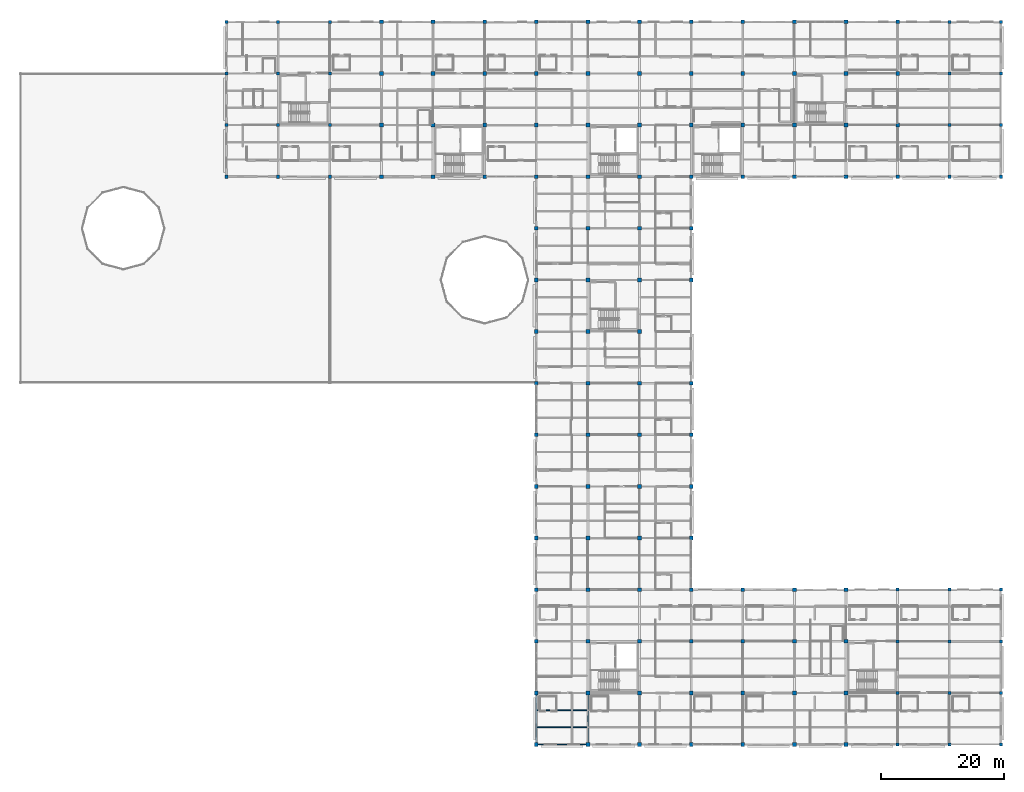
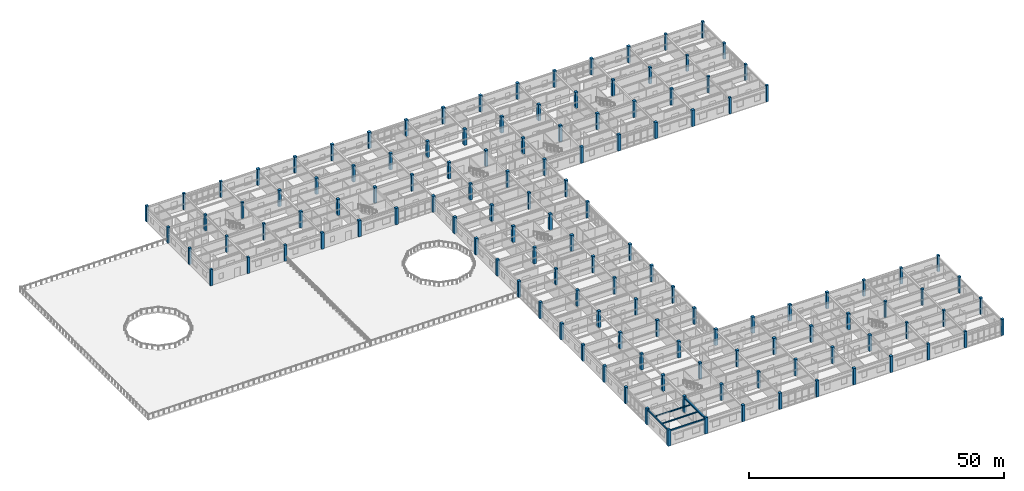
# One storey, part 1 of 86: 131 columns, 5 beams.
"""IFC4 building model written with IfcOpenShell, lengths in metres."""

from ifc_helpers import new_model, si_unit, direction, frame, origin, origin_2d, place, context, subcontext, project, spatial, rectangle, hollow_rectangle, i_section, extrude, material, material_profile, profile_set, type_object, element, save


model = new_model("IFC4")

# Units and contexts
model_context = context("Model", 3, precision=1e-05, world=origin(), true_north=direction((0.0, 1.0)))
body_context = subcontext(model_context, "Body", "Model", "MODEL_VIEW")
ifc_project = project(units=[si_unit("LENGTHUNIT", "METRE"), si_unit("AREAUNIT", "SQUARE_METRE"), si_unit("VOLUMEUNIT", "CUBIC_METRE"), si_unit("PLANEANGLEUNIT", "RADIAN"), si_unit("MASSUNIT", "GRAM", prefix="KILO")], contexts=[model_context])

# Site, building, storey
site_placement = place(None, origin())
site = spatial("IfcSite", under=ifc_project, at=site_placement, CompositionType="ELEMENT")
building_placement = place(site_placement, origin())
building = spatial("IfcBuilding", under=site, at=building_placement, Name="Bramfleet General Hospital", CompositionType="ELEMENT")
storey_placement = place(building_placement, frame((0.0, 0.0, 18.60009765625)))
storey = spatial("IfcBuildingStorey", under=building, at=storey_placement, Name="L04", CompositionType="ELEMENT", Elevation=18.60009765625)

# Columns
ifc_material_1 = material(Name="Concrete C40/50", Category="concrete")
ifc_material_profile_1 = material_profile(ifc_material_1, rectangle(XDim=0.5, YDim=0.5, at=origin_2d()), Name="RC COL 500x500")
ifc_profile_set_1 = profile_set([ifc_material_profile_1], Name="Concrete C40/50")
column_type_1 = type_object("IfcColumnType", Name="COL-RC500", PredefinedType="COLUMN", material=ifc_profile_set_1)
for number, where, z_axis, x_axis, name in (
    (1, (42.0, 92.39990234375, 0.0), (0.0, 0.0, 1.0), (1.0, 0.0, 0.0), "Column COL-L04-05-11"),
    (2, (42.0, 100.800048828125, 0.0), (0.0, 0.0, 1.0), (1.0, 0.0, 0.0), "Column COL-L04-05-12"),
    (3, (42.0, 109.199951171875, 0.0), (0.0, 0.0, 1.0), (1.0, 0.0, 0.0), "Column COL-L04-05-13"),
    (4, (42.0, 117.60009765625, 0.0), (0.0, 0.0, 1.0), (1.0, 0.0, 0.0), "Column COL-L04-05-14"),
    (5, (50.39990234375, 92.39990234375, 0.0), (0.0, 0.0, 1.0), (1.0, 0.0, 0.0), "Column COL-L04-06-11"),
    (6, (50.39990234375, 100.800048828125, 0.0), (0.0, 0.0, 1.0), (1.0, 0.0, 0.0), "Column COL-L04-06-12"),
    (7, (50.39990234375, 109.199951171875, 0.0), (0.0, 0.0, 1.0), (1.0, 0.0, 0.0), "Column COL-L04-06-13"),
    (8, (50.39990234375, 117.60009765625, 0.0), (0.0, 0.0, 1.0), (1.0, 0.0, 0.0), "Column COL-L04-06-14"),
    (9, (58.800048828125, 92.39990234375, 0.0), (0.0, 0.0, 1.0), (1.0, 0.0, 0.0), "Column COL-L04-07-11"),
    (10, (58.800048828125, 100.800048828125, 0.0), (0.0, 0.0, 1.0), (1.0, 0.0, 0.0), "Column COL-L04-07-12"),
    (11, (58.800048828125, 109.199951171875, 0.0), (0.0, 0.0, 1.0), (1.0, 0.0, 0.0), "Column COL-L04-07-13"),
    (12, (58.800048828125, 117.60009765625, 0.0), (0.0, 0.0, 1.0), (1.0, 0.0, 0.0), "Column COL-L04-07-14"),
    (13, (151.199951171875, 0.0, 0.0), (0.0, 0.0, 1.0), (1.0, 0.0, 0.0), "Column COL-L04-18-00"),
    (14, (151.199951171875, 8.39990234375, 0.0), (0.0, 0.0, 1.0), (1.0, 0.0, 0.0), "Column COL-L04-18-01"),
    (15, (151.199951171875, 16.800048828125, 0.0), (0.0, 0.0, 1.0), (1.0, 0.0, 0.0), "Column COL-L04-18-02"),
    (16, (151.199951171875, 25.199951171875, 0.0), (0.0, 0.0, 1.0), (1.0, 0.0, 0.0), "Column COL-L04-18-03"),
    (17, (159.60009765625, 0.0, 0.0), (0.0, 0.0, 1.0), (1.0, 0.0, 0.0), "Column COL-L04-19-00"),
    (18, (159.60009765625, 8.39990234375, 0.0), (0.0, 0.0, 1.0), (1.0, 0.0, 0.0), "Column COL-L04-19-01"),
    (19, (159.60009765625, 16.800048828125, 0.0), (0.0, 0.0, 1.0), (1.0, 0.0, 0.0), "Column COL-L04-19-02"),
    (20, (159.60009765625, 25.199951171875, 0.0), (0.0, 0.0, 1.0), (1.0, 0.0, 0.0), "Column COL-L04-19-03"),
    (21, (159.60009765625, 92.39990234375, 0.0), (0.0, 0.0, 1.0), (1.0, 0.0, 0.0), "Column COL-L04-19-11"),
    (22, (159.60009765625, 100.800048828125, 0.0), (0.0, 0.0, 1.0), (1.0, 0.0, 0.0), "Column COL-L04-19-12"),
    (23, (159.60009765625, 109.199951171875, 0.0), (0.0, 0.0, 1.0), (1.0, 0.0, 0.0), "Column COL-L04-19-13"),
    (24, (159.60009765625, 117.60009765625, 0.0), (0.0, 0.0, 1.0), (1.0, 0.0, 0.0), "Column COL-L04-19-14"),
    (25, (168.0, 0.0, 0.0), (0.0, 0.0, 1.0), (1.0, 0.0, 0.0), "Column COL-L04-20-00"),
    (26, (168.0, 8.39990234375, 0.0), (0.0, 0.0, 1.0), (1.0, 0.0, 0.0), "Column COL-L04-20-01"),
    (27, (168.0, 16.800048828125, 0.0), (0.0, 0.0, 1.0), (1.0, 0.0, 0.0), "Column COL-L04-20-02"),
    (28, (168.0, 25.199951171875, 0.0), (0.0, 0.0, 1.0), (1.0, 0.0, 0.0), "Column COL-L04-20-03"),
    (29, (168.0, 92.39990234375, 0.0), (0.0, 0.0, 1.0), (1.0, 0.0, 0.0), "Column COL-L04-20-11"),
    (30, (168.0, 100.800048828125, 0.0), (0.0, 0.0, 1.0), (1.0, 0.0, 0.0), "Column COL-L04-20-12"),
    (31, (168.0, 109.199951171875, 0.0), (0.0, 0.0, 1.0), (1.0, 0.0, 0.0), "Column COL-L04-20-13"),
    (32, (168.0, 117.60009765625, 0.0), (0.0, 0.0, 1.0), (1.0, 0.0, 0.0), "Column COL-L04-20-14"),
):
    element("IfcColumn", number, at=place(storey_placement, frame(where, z_axis=z_axis, x_axis=x_axis)), inside=storey, type_object=column_type_1, Name=name, PredefinedType="COLUMN", context=body_context, shape_type="SweptSolid", body=[
        extrude(rectangle(XDim=0.5, YDim=0.5, at=origin_2d()), origin(), (0.0, 0.0, 1.0), 3.89990234375),
    ])
ifc_material_profile_2 = material_profile(ifc_material_1, rectangle(XDim=0.60009765625, YDim=0.60009765625, at=origin_2d()), Name="RC COL 600x600")
ifc_profile_set_2 = profile_set([ifc_material_profile_2], Name="Concrete C40/50")
column_type_2 = type_object("IfcColumnType", Name="COL-RC600", PredefinedType="COLUMN", material=ifc_profile_set_2)
for number, where, z_axis, x_axis, name in (
    (33, (67.199951171875, 92.39990234375, 0.0), (0.0, 0.0, 1.0), (1.0, 0.0, 0.0), "Column COL-L04-08-11"),
    (34, (67.199951171875, 100.800048828125, 0.0), (0.0, 0.0, 1.0), (1.0, 0.0, 0.0), "Column COL-L04-08-12"),
    (35, (67.199951171875, 109.199951171875, 0.0), (0.0, 0.0, 1.0), (1.0, 0.0, 0.0), "Column COL-L04-08-13"),
    (36, (67.199951171875, 117.60009765625, 0.0), (0.0, 0.0, 1.0), (1.0, 0.0, 0.0), "Column COL-L04-08-14"),
    (37, (75.60009765625, 92.39990234375, 0.0), (0.0, 0.0, 1.0), (1.0, 0.0, 0.0), "Column COL-L04-09-11"),
    (38, (75.60009765625, 100.800048828125, 0.0), (0.0, 0.0, 1.0), (1.0, 0.0, 0.0), "Column COL-L04-09-12"),
    (39, (75.60009765625, 109.199951171875, 0.0), (0.0, 0.0, 1.0), (1.0, 0.0, 0.0), "Column COL-L04-09-13"),
    (40, (75.60009765625, 117.60009765625, 0.0), (0.0, 0.0, 1.0), (1.0, 0.0, 0.0), "Column COL-L04-09-14"),
    (41, (84.0, 92.39990234375, 0.0), (0.0, 0.0, 1.0), (1.0, 0.0, 0.0), "Column COL-L04-10-11"),
    (42, (84.0, 100.800048828125, 0.0), (0.0, 0.0, 1.0), (1.0, 0.0, 0.0), "Column COL-L04-10-12"),
    (43, (84.0, 109.199951171875, 0.0), (0.0, 0.0, 1.0), (1.0, 0.0, 0.0), "Column COL-L04-10-13"),
    (44, (84.0, 117.60009765625, 0.0), (0.0, 0.0, 1.0), (1.0, 0.0, 0.0), "Column COL-L04-10-14"),
    (45, (92.39990234375, 0.0, 0.0), (0.0, 0.0, 1.0), (1.0, 0.0, 0.0), "Column COL-L04-11-00"),
    (46, (92.39990234375, 8.39990234375, 0.0), (0.0, 0.0, 1.0), (1.0, 0.0, 0.0), "Column COL-L04-11-01"),
    (47, (92.39990234375, 16.800048828125, 0.0), (0.0, 0.0, 1.0), (1.0, 0.0, 0.0), "Column COL-L04-11-02"),
    (48, (92.39990234375, 25.199951171875, 0.0), (0.0, 0.0, 1.0), (1.0, 0.0, 0.0), "Column COL-L04-11-03"),
    (49, (92.39990234375, 33.60009765625, 0.0), (0.0, 0.0, 1.0), (1.0, 0.0, 0.0), "Column COL-L04-11-04"),
    (50, (92.39990234375, 42.0, 0.0), (0.0, 0.0, 1.0), (1.0, 0.0, 0.0), "Column COL-L04-11-05"),
    (51, (92.39990234375, 50.39990234375, 0.0), (0.0, 0.0, 1.0), (1.0, 0.0, 0.0), "Column COL-L04-11-06"),
    (52, (92.39990234375, 58.800048828125, 0.0), (0.0, 0.0, 1.0), (1.0, 0.0, 0.0), "Column COL-L04-11-07"),
    (53, (92.39990234375, 67.199951171875, 0.0), (0.0, 0.0, 1.0), (1.0, 0.0, 0.0), "Column COL-L04-11-08"),
    (54, (92.39990234375, 75.60009765625, 0.0), (0.0, 0.0, 1.0), (1.0, 0.0, 0.0), "Column COL-L04-11-09"),
    (55, (92.39990234375, 84.0, 0.0), (0.0, 0.0, 1.0), (1.0, 0.0, 0.0), "Column COL-L04-11-10"),
    (56, (92.39990234375, 92.39990234375, 0.0), (0.0, 0.0, 1.0), (1.0, 0.0, 0.0), "Column COL-L04-11-11"),
    (57, (92.39990234375, 100.800048828125, 0.0), (0.0, 0.0, 1.0), (1.0, 0.0, 0.0), "Column COL-L04-11-12"),
    (58, (92.39990234375, 109.199951171875, 0.0), (0.0, 0.0, 1.0), (1.0, 0.0, 0.0), "Column COL-L04-11-13"),
    (59, (92.39990234375, 117.60009765625, 0.0), (0.0, 0.0, 1.0), (1.0, 0.0, 0.0), "Column COL-L04-11-14"),
    (60, (100.800048828125, 0.0, 0.0), (0.0, 0.0, 1.0), (1.0, 0.0, 0.0), "Column COL-L04-12-00"),
    (61, (100.800048828125, 8.39990234375, 0.0), (0.0, 0.0, 1.0), (1.0, 0.0, 0.0), "Column COL-L04-12-01"),
    (62, (100.800048828125, 16.800048828125, 0.0), (0.0, 0.0, 1.0), (1.0, 0.0, 0.0), "Column COL-L04-12-02"),
    (63, (100.800048828125, 25.199951171875, 0.0), (0.0, 0.0, 1.0), (1.0, 0.0, 0.0), "Column COL-L04-12-03"),
    (64, (100.800048828125, 33.60009765625, 0.0), (0.0, 0.0, 1.0), (1.0, 0.0, 0.0), "Column COL-L04-12-04"),
    (65, (100.800048828125, 42.0, 0.0), (0.0, 0.0, 1.0), (1.0, 0.0, 0.0), "Column COL-L04-12-05"),
    (66, (100.800048828125, 50.39990234375, 0.0), (0.0, 0.0, 1.0), (1.0, 0.0, 0.0), "Column COL-L04-12-06"),
    (67, (100.800048828125, 58.800048828125, 0.0), (0.0, 0.0, 1.0), (1.0, 0.0, 0.0), "Column COL-L04-12-07"),
    (68, (100.800048828125, 67.199951171875, 0.0), (0.0, 0.0, 1.0), (1.0, 0.0, 0.0), "Column COL-L04-12-08"),
    (69, (100.800048828125, 75.60009765625, 0.0), (0.0, 0.0, 1.0), (1.0, 0.0, 0.0), "Column COL-L04-12-09"),
    (70, (100.800048828125, 84.0, 0.0), (0.0, 0.0, 1.0), (1.0, 0.0, 0.0), "Column COL-L04-12-10"),
    (71, (100.800048828125, 92.39990234375, 0.0), (0.0, 0.0, 1.0), (1.0, 0.0, 0.0), "Column COL-L04-12-11"),
    (72, (100.800048828125, 100.800048828125, 0.0), (0.0, 0.0, 1.0), (1.0, 0.0, 0.0), "Column COL-L04-12-12"),
    (73, (100.800048828125, 109.199951171875, 0.0), (0.0, 0.0, 1.0), (1.0, 0.0, 0.0), "Column COL-L04-12-13"),
    (74, (100.800048828125, 117.60009765625, 0.0), (0.0, 0.0, 1.0), (1.0, 0.0, 0.0), "Column COL-L04-12-14"),
    (75, (109.199951171875, 0.0, 0.0), (0.0, 0.0, 1.0), (1.0, 0.0, 0.0), "Column COL-L04-13-00"),
    (76, (109.199951171875, 8.39990234375, 0.0), (0.0, 0.0, 1.0), (1.0, 0.0, 0.0), "Column COL-L04-13-01"),
    (77, (109.199951171875, 16.800048828125, 0.0), (0.0, 0.0, 1.0), (1.0, 0.0, 0.0), "Column COL-L04-13-02"),
    (78, (109.199951171875, 25.199951171875, 0.0), (0.0, 0.0, 1.0), (1.0, 0.0, 0.0), "Column COL-L04-13-03"),
    (79, (109.199951171875, 33.60009765625, 0.0), (0.0, 0.0, 1.0), (1.0, 0.0, 0.0), "Column COL-L04-13-04"),
    (80, (109.199951171875, 42.0, 0.0), (0.0, 0.0, 1.0), (1.0, 0.0, 0.0), "Column COL-L04-13-05"),
    (81, (109.199951171875, 50.39990234375, 0.0), (0.0, 0.0, 1.0), (1.0, 0.0, 0.0), "Column COL-L04-13-06"),
    (82, (109.199951171875, 58.800048828125, 0.0), (0.0, 0.0, 1.0), (1.0, 0.0, 0.0), "Column COL-L04-13-07"),
    (83, (109.199951171875, 67.199951171875, 0.0), (0.0, 0.0, 1.0), (1.0, 0.0, 0.0), "Column COL-L04-13-08"),
    (84, (109.199951171875, 75.60009765625, 0.0), (0.0, 0.0, 1.0), (1.0, 0.0, 0.0), "Column COL-L04-13-09"),
    (85, (109.199951171875, 84.0, 0.0), (0.0, 0.0, 1.0), (1.0, 0.0, 0.0), "Column COL-L04-13-10"),
    (86, (109.199951171875, 92.39990234375, 0.0), (0.0, 0.0, 1.0), (1.0, 0.0, 0.0), "Column COL-L04-13-11"),
    (87, (109.199951171875, 100.800048828125, 0.0), (0.0, 0.0, 1.0), (1.0, 0.0, 0.0), "Column COL-L04-13-12"),
    (88, (109.199951171875, 109.199951171875, 0.0), (0.0, 0.0, 1.0), (1.0, 0.0, 0.0), "Column COL-L04-13-13"),
    (89, (109.199951171875, 117.60009765625, 0.0), (0.0, 0.0, 1.0), (1.0, 0.0, 0.0), "Column COL-L04-13-14"),
    (90, (117.60009765625, 0.0, 0.0), (0.0, 0.0, 1.0), (1.0, 0.0, 0.0), "Column COL-L04-14-00"),
    (91, (117.60009765625, 8.39990234375, 0.0), (0.0, 0.0, 1.0), (1.0, 0.0, 0.0), "Column COL-L04-14-01"),
    (92, (117.60009765625, 16.800048828125, 0.0), (0.0, 0.0, 1.0), (1.0, 0.0, 0.0), "Column COL-L04-14-02"),
    (93, (117.60009765625, 25.199951171875, 0.0), (0.0, 0.0, 1.0), (1.0, 0.0, 0.0), "Column COL-L04-14-03"),
    (94, (117.60009765625, 33.60009765625, 0.0), (0.0, 0.0, 1.0), (1.0, 0.0, 0.0), "Column COL-L04-14-04"),
    (95, (117.60009765625, 42.0, 0.0), (0.0, 0.0, 1.0), (1.0, 0.0, 0.0), "Column COL-L04-14-05"),
    (96, (117.60009765625, 50.39990234375, 0.0), (0.0, 0.0, 1.0), (1.0, 0.0, 0.0), "Column COL-L04-14-06"),
    (97, (117.60009765625, 58.800048828125, 0.0), (0.0, 0.0, 1.0), (1.0, 0.0, 0.0), "Column COL-L04-14-07"),
    (98, (117.60009765625, 75.60009765625, 0.0), (0.0, 0.0, 1.0), (1.0, 0.0, 0.0), "Column COL-L04-14-09"),
    (99, (117.60009765625, 84.0, 0.0), (0.0, 0.0, 1.0), (1.0, 0.0, 0.0), "Column COL-L04-14-10"),
    (100, (117.60009765625, 92.39990234375, 0.0), (0.0, 0.0, 1.0), (1.0, 0.0, 0.0), "Column COL-L04-14-11"),
    (101, (117.60009765625, 100.800048828125, 0.0), (0.0, 0.0, 1.0), (1.0, 0.0, 0.0), "Column COL-L04-14-12"),
    (102, (117.60009765625, 109.199951171875, 0.0), (0.0, 0.0, 1.0), (1.0, 0.0, 0.0), "Column COL-L04-14-13"),
    (103, (117.60009765625, 117.60009765625, 0.0), (0.0, 0.0, 1.0), (1.0, 0.0, 0.0), "Column COL-L04-14-14"),
    (104, (126.0, 0.0, 0.0), (0.0, 0.0, 1.0), (1.0, 0.0, 0.0), "Column COL-L04-15-00"),
    (105, (126.0, 8.39990234375, 0.0), (0.0, 0.0, 1.0), (1.0, 0.0, 0.0), "Column COL-L04-15-01"),
    (106, (126.0, 16.800048828125, 0.0), (0.0, 0.0, 1.0), (1.0, 0.0, 0.0), "Column COL-L04-15-02"),
    (107, (126.0, 25.199951171875, 0.0), (0.0, 0.0, 1.0), (1.0, 0.0, 0.0), "Column COL-L04-15-03"),
    (108, (126.0, 92.39990234375, 0.0), (0.0, 0.0, 1.0), (1.0, 0.0, 0.0), "Column COL-L04-15-11"),
    (109, (126.0, 100.800048828125, 0.0), (0.0, 0.0, 1.0), (1.0, 0.0, 0.0), "Column COL-L04-15-12"),
    (110, (126.0, 109.199951171875, 0.0), (0.0, 0.0, 1.0), (1.0, 0.0, 0.0), "Column COL-L04-15-13"),
    (111, (126.0, 117.60009765625, 0.0), (0.0, 0.0, 1.0), (1.0, 0.0, 0.0), "Column COL-L04-15-14"),
    (112, (134.39990234375, 0.0, 0.0), (0.0, 0.0, 1.0), (1.0, 0.0, 0.0), "Column COL-L04-16-00"),
    (113, (134.39990234375, 8.39990234375, 0.0), (0.0, 0.0, 1.0), (1.0, 0.0, 0.0), "Column COL-L04-16-01"),
    (114, (134.39990234375, 16.800048828125, 0.0), (0.0, 0.0, 1.0), (1.0, 0.0, 0.0), "Column COL-L04-16-02"),
    (115, (134.39990234375, 25.199951171875, 0.0), (0.0, 0.0, 1.0), (1.0, 0.0, 0.0), "Column COL-L04-16-03"),
    (116, (134.39990234375, 92.39990234375, 0.0), (0.0, 0.0, 1.0), (1.0, 0.0, 0.0), "Column COL-L04-16-11"),
    (117, (134.39990234375, 100.800048828125, 0.0), (0.0, 0.0, 1.0), (1.0, 0.0, 0.0), "Column COL-L04-16-12"),
    (118, (134.39990234375, 109.199951171875, 0.0), (0.0, 0.0, 1.0), (1.0, 0.0, 0.0), "Column COL-L04-16-13"),
    (119, (134.39990234375, 117.60009765625, 0.0), (0.0, 0.0, 1.0), (1.0, 0.0, 0.0), "Column COL-L04-16-14"),
    (120, (142.800048828125, 0.0, 0.0), (0.0, 0.0, 1.0), (1.0, 0.0, 0.0), "Column COL-L04-17-00"),
    (121, (142.800048828125, 8.39990234375, 0.0), (0.0, 0.0, 1.0), (1.0, 0.0, 0.0), "Column COL-L04-17-01"),
    (122, (142.800048828125, 16.800048828125, 0.0), (0.0, 0.0, 1.0), (1.0, 0.0, 0.0), "Column COL-L04-17-02"),
    (123, (142.800048828125, 25.199951171875, 0.0), (0.0, 0.0, 1.0), (1.0, 0.0, 0.0), "Column COL-L04-17-03"),
    (124, (142.800048828125, 92.39990234375, 0.0), (0.0, 0.0, 1.0), (1.0, 0.0, 0.0), "Column COL-L04-17-11"),
    (125, (142.800048828125, 100.800048828125, 0.0), (0.0, 0.0, 1.0), (1.0, 0.0, 0.0), "Column COL-L04-17-12"),
    (126, (142.800048828125, 109.199951171875, 0.0), (0.0, 0.0, 1.0), (1.0, 0.0, 0.0), "Column COL-L04-17-13"),
    (127, (142.800048828125, 117.60009765625, 0.0), (0.0, 0.0, 1.0), (1.0, 0.0, 0.0), "Column COL-L04-17-14"),
    (128, (151.199951171875, 92.39990234375, 0.0), (0.0, 0.0, 1.0), (1.0, 0.0, 0.0), "Column COL-L04-18-11"),
    (129, (151.199951171875, 100.800048828125, 0.0), (0.0, 0.0, 1.0), (1.0, 0.0, 0.0), "Column COL-L04-18-12"),
    (130, (151.199951171875, 109.199951171875, 0.0), (0.0, 0.0, 1.0), (1.0, 0.0, 0.0), "Column COL-L04-18-13"),
    (131, (151.199951171875, 117.60009765625, 0.0), (0.0, 0.0, 1.0), (1.0, 0.0, 0.0), "Column COL-L04-18-14"),
):
    element("IfcColumn", number, at=place(storey_placement, frame(where, z_axis=z_axis, x_axis=x_axis)), inside=storey, type_object=column_type_2, Name=name, PredefinedType="COLUMN", context=body_context, shape_type="SweptSolid", body=[
        extrude(rectangle(XDim=0.60009765625, YDim=0.60009765625, at=origin_2d()), origin(), (0.0, 0.0, 1.0), 3.89990234375),
    ])

# Beams
ifc_material_2 = material(Name="Steel S355", Category="steel")
ifc_material_profile_3 = material_profile(ifc_material_2, i_section(OverallWidth=0.239990234375, OverallDepth=0.22998046875, WebThickness=0.007568359375, FlangeThickness=0.011962890625, FilletRadius=0.02099609375, at=origin_2d()), Name="HEA 240")
ifc_profile_set_3 = profile_set([ifc_material_profile_3], Name="Steel S355")
beam_type_1 = type_object("IfcBeamType", Name="BM-HEA240", PredefinedType="SPANDREL", material=ifc_profile_set_3)
beam_1_placement = place(storey_placement, frame((92.39990234375, 0.300048828125, 3.5048828125), z_axis=(0.0, 1.0, 0.0), x_axis=(-1.0, 0.0, 0.0)))
element("IfcBeam", 132, at=beam_1_placement, inside=storey, type_object=beam_type_1, Name="L04 Grid Beam Y 11-00", PredefinedType="SPANDREL", context=body_context, shape_type="SweptSolid", body=[
    extrude(i_section(OverallWidth=0.239990234375, OverallDepth=0.22998046875, WebThickness=0.007568359375, FlangeThickness=0.011962890625, FilletRadius=0.02099609375, at=origin_2d()), origin(), (0.0, 0.0, 1.0), 7.800048828125),
])
ifc_material_profile_4 = material_profile(ifc_material_2, i_section(OverallWidth=0.300048828125, OverallDepth=0.35009765625, WebThickness=0.010009765625, FlangeThickness=0.017578125, FilletRadius=0.027099609375, at=origin_2d()), Name="HEA 360")
ifc_profile_set_4 = profile_set([ifc_material_profile_4], Name="Steel S355")
beam_type_2 = type_object("IfcBeamType", Name="BM-HEA360", PredefinedType="BEAM", material=ifc_profile_set_4)
beam_2_placement = place(storey_placement, frame((100.800048828125, 0.300048828125, 3.44482421875), z_axis=(0.0, 1.0, 0.0), x_axis=(-1.0, 0.0, 0.0)))
element("IfcBeam", 133, at=beam_2_placement, inside=storey, type_object=beam_type_2, Name="L04 Grid Beam Y 12-00", PredefinedType="BEAM", context=body_context, shape_type="SweptSolid", body=[
    extrude(i_section(OverallWidth=0.300048828125, OverallDepth=0.35009765625, WebThickness=0.010009765625, FlangeThickness=0.017578125, FilletRadius=0.027099609375, at=origin_2d()), origin(), (0.0, 0.0, 1.0), 7.800048828125),
])
ifc_material_profile_5 = material_profile(ifc_material_2, i_section(OverallWidth=0.14990234375, OverallDepth=0.300048828125, WebThickness=0.007080078125, FlangeThickness=0.0107421875, FilletRadius=0.014892578125, at=origin_2d()), Name="IPE 300")
ifc_profile_set_5 = profile_set([ifc_material_profile_5], Name="Steel S355")
beam_type_3 = type_object("IfcBeamType", Name="BM-IPE300", PredefinedType="JOIST", material=ifc_profile_set_5)
for number, where, z_axis, x_axis, name in (
    (134, (92.52001953125, 2.800048828125, 3.469970703125), (1.0, 0.0, 0.0), (0.0, 1.0, 0.0), "L04 Secondary Joist 11-00-1"),
    (135, (92.52001953125, 5.60009765625, 3.469970703125), (1.0, 0.0, 0.0), (0.0, 1.0, 0.0), "L04 Secondary Joist 11-00-2"),
):
    element("IfcBeam", number, at=place(storey_placement, frame(where, z_axis=z_axis, x_axis=x_axis)), inside=storey, type_object=beam_type_3, Name=name, PredefinedType="JOIST", context=body_context, shape_type="SweptSolid", body=[
        extrude(i_section(OverallWidth=0.14990234375, OverallDepth=0.300048828125, WebThickness=0.007080078125, FlangeThickness=0.0107421875, FilletRadius=0.014892578125, at=origin_2d()), origin(), (0.0, 0.0, 1.0), 8.1298828125),
    ])
ifc_material_profile_6 = material_profile(ifc_material_2, hollow_rectangle(XDim=0.199951171875, YDim=0.300048828125, WallThickness=0.012451171875, at=origin_2d()), Name="RHS 300x200x12.5")
ifc_profile_set_6 = profile_set([ifc_material_profile_6], Name="Steel S355")
beam_type_4 = type_object("IfcBeamType", Name="BM-RHS300", PredefinedType="SPANDREL", material=ifc_profile_set_6)
beam_3_placement = place(storey_placement, frame((92.699951171875, 0.0, 3.469970703125), z_axis=(1.0, 0.0, 0.0), x_axis=(0.0, 1.0, 0.0)))
element("IfcBeam", 136, at=beam_3_placement, inside=storey, type_object=beam_type_4, Name="L04 Grid Beam X 11-00", PredefinedType="SPANDREL", context=body_context, shape_type="SweptSolid", body=[
    extrude(hollow_rectangle(XDim=0.199951171875, YDim=0.300048828125, WallThickness=0.012451171875, at=origin_2d()), origin(), (0.0, 0.0, 1.0), 7.800048828125),
])

save(model, "model.ifc")
